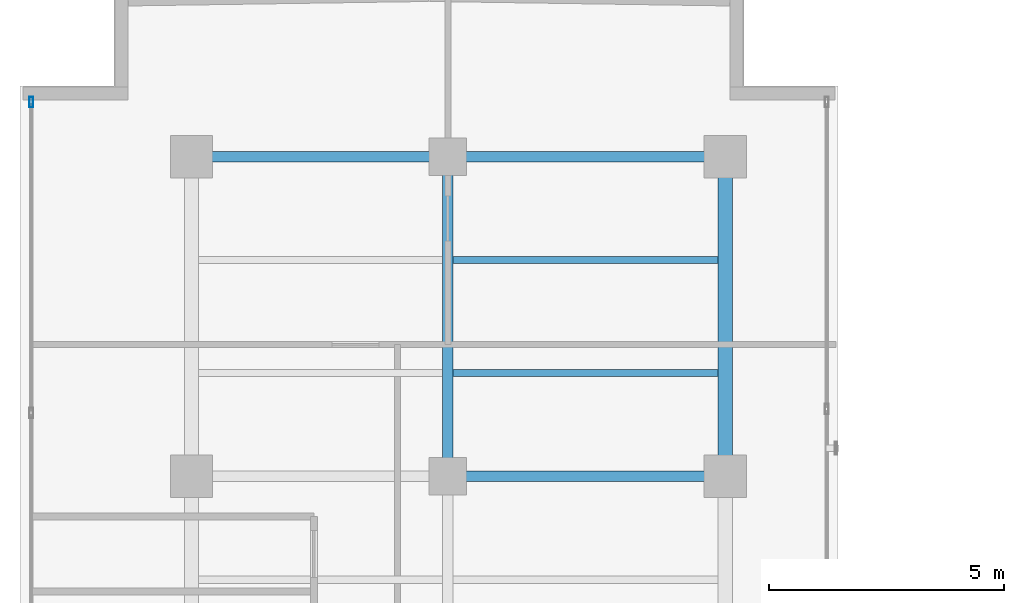
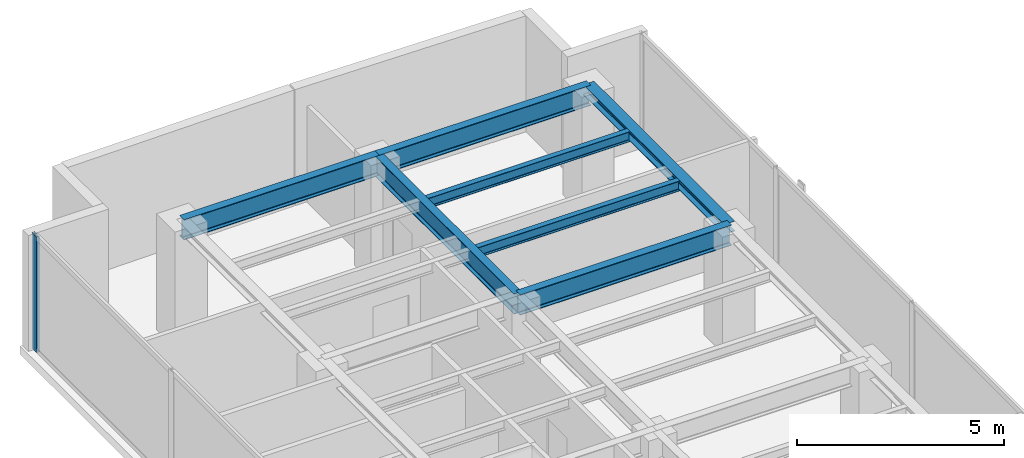
# One storey, part 13 of 23: 7 beams, 1 member, 1 element without a shape of its own.
"""IFC4 building model written with IfcOpenShell, lengths in metres."""

from ifc_helpers import new_model, si_unit, direction, frame, origin, origin_with_axes, origin_2d, place, context, subcontext, project, spatial, hollow_rectangle, i_section, extrude, source, transform, mapped, material, layer, layer_set, material_profile, profile_set, type_object, element, aggregate, save


model = new_model("IFC4")

# Units and contexts
model_context = context("Model", 3, precision=1e-05, world=origin(), true_north=direction((0.0, 1.0)))
body_context = subcontext(model_context, "Body", "Model", "MODEL_VIEW")
ifc_project = project(units=[si_unit("LENGTHUNIT", "METRE"), si_unit("AREAUNIT", "SQUARE_METRE"), si_unit("VOLUMEUNIT", "CUBIC_METRE"), si_unit("PLANEANGLEUNIT", "RADIAN"), si_unit("MASSUNIT", "GRAM", prefix="KILO")], contexts=[model_context])

# Site, building, storey
site_placement = place(None, origin())
site = spatial("IfcSite", under=ifc_project, at=site_placement, CompositionType="ELEMENT")
building_placement = place(site_placement, origin())
building = spatial("IfcBuilding", under=site, at=building_placement, Name="Kolvaren Waterfront Exchange", CompositionType="ELEMENT")
storey_placement = place(building_placement, frame((0.0, 0.0, 335.0)))
storey = spatial("IfcBuildingStorey", under=building, at=storey_placement, Name="L86", CompositionType="ELEMENT", Elevation=335.0)

# Beams
ifc_material_1 = material(Name="Steel S355", Category="steel")
ifc_material_profile_1 = material_profile(ifc_material_1, i_section(OverallWidth=0.300048828125, OverallDepth=0.300048828125, WebThickness=0.010986328125, FlangeThickness=0.01904296875, FilletRadius=0.027099609375, at=origin_2d()), Name="HEB300")
ifc_profile_set_1 = profile_set([ifc_material_profile_1], Name="Steel S355")
beam_type_1 = type_object("IfcBeamType", Name="STR-BM-HEB300", PredefinedType="SPANDREL", material=ifc_profile_set_1)
beam_1_placement = place(storey_placement, frame((18.800048828125, 37.800048828125, 3.27001953125), z_axis=(0.0, 1.0, 0.0), x_axis=(-1.0, 0.0, 0.0)))
element("IfcBeam", 1, at=beam_1_placement, inside=storey, type_object=beam_type_1, Name="L86 north-arm edge beam 3", PredefinedType="SPANDREL", context=body_context, shape_type="SweptSolid", body=[
    extrude(i_section(OverallWidth=0.300048828125, OverallDepth=0.300048828125, WebThickness=0.010986328125, FlangeThickness=0.01904296875, FilletRadius=0.027099609375, at=origin_2d()), origin(), (0.0, 0.0, 1.0), 6.800048828125),
])
ifc_material_profile_2 = material_profile(ifc_material_1, i_section(OverallWidth=0.14990234375, OverallDepth=0.300048828125, WebThickness=0.007080078125, FlangeThickness=0.0107421875, FilletRadius=0.014892578125, at=origin_2d()), Name="IPE300")
ifc_profile_set_2 = profile_set([ifc_material_profile_2], Name="Steel S355")
beam_type_2 = type_object("IfcBeamType", Name="STR-BM-IPE300", PredefinedType="JOIST", material=ifc_profile_set_2)
for number, where, z_axis, x_axis, name in (
    (2, (13.011962890625, 40.0, 3.27001953125), (1.0, 0.0, 0.0), (0.0, 1.0, 0.0), "L86 north-arm composite joist 5B"),
    (3, (13.011962890625, 42.39990234375, 3.27001953125), (1.0, 0.0, 0.0), (0.0, 1.0, 0.0), "L86 north-arm composite joist 6B"),
):
    element("IfcBeam", number, at=place(storey_placement, frame(where, z_axis=z_axis, x_axis=x_axis)), inside=storey, type_object=beam_type_2, Name=name, PredefinedType="JOIST", context=body_context, shape_type="SweptSolid", body=[
        extrude(i_section(OverallWidth=0.14990234375, OverallDepth=0.300048828125, WebThickness=0.007080078125, FlangeThickness=0.0107421875, FilletRadius=0.014892578125, at=origin_2d()), origin(), (0.0, 0.0, 1.0), 5.635986328125),
    ])
ifc_material_profile_3 = material_profile(ifc_material_1, i_section(OverallWidth=0.219970703125, OverallDepth=0.60009765625, WebThickness=0.011962890625, FlangeThickness=0.01904296875, FilletRadius=0.02392578125, at=origin_2d()), Name="IPE600")
ifc_profile_set_3 = profile_set([ifc_material_profile_3], Name="Steel S355")
beam_type_3 = type_object("IfcBeamType", Name="STR-BM-IPE600", PredefinedType="BEAM", material=ifc_profile_set_3)
beam_2_placement = place(storey_placement, frame((12.89990234375, 37.800048828125, 3.1201171875), z_axis=(1.0, 0.0, 0.0), x_axis=(0.0, 1.0, 0.0)))
element("IfcBeam", 4, at=beam_2_placement, inside=storey, type_object=beam_type_3, Name="L86 north-arm girder 3B", PredefinedType="BEAM", context=body_context, shape_type="SweptSolid", body=[
    extrude(i_section(OverallWidth=0.219970703125, OverallDepth=0.60009765625, WebThickness=0.011962890625, FlangeThickness=0.01904296875, FilletRadius=0.02392578125, at=origin_2d()), origin(), (0.0, 0.0, 1.0), 5.900146484375),
])
beam_3_placement = place(storey_placement, frame((7.449951171875, 44.60009765625, 3.1201171875), z_axis=(1.0, 0.0, 0.0), x_axis=(0.0, 1.0, 0.0)))
element("IfcBeam", 5, at=beam_3_placement, inside=storey, type_object=beam_type_3, Name="L86 north-arm girder 4A", PredefinedType="BEAM", context=body_context, shape_type="SweptSolid", body=[
    extrude(i_section(OverallWidth=0.219970703125, OverallDepth=0.60009765625, WebThickness=0.011962890625, FlangeThickness=0.01904296875, FilletRadius=0.02392578125, at=origin_2d()), origin(), (0.0, 0.0, 1.0), 5.449951171875),
])
beam_4_placement = place(storey_placement, frame((12.89990234375, 44.60009765625, 3.1201171875), z_axis=(1.0, 0.0, 0.0), x_axis=(0.0, 1.0, 0.0)))
element("IfcBeam", 6, at=beam_4_placement, inside=storey, type_object=beam_type_3, Name="L86 north-arm girder 4B", PredefinedType="BEAM", context=body_context, shape_type="SweptSolid", body=[
    extrude(i_section(OverallWidth=0.219970703125, OverallDepth=0.60009765625, WebThickness=0.011962890625, FlangeThickness=0.01904296875, FilletRadius=0.02392578125, at=origin_2d()), origin(), (0.0, 0.0, 1.0), 5.900146484375),
])
beam_5_placement = place(storey_placement, frame((12.89990234375, 37.800048828125, 3.1201171875), z_axis=(0.0, 1.0, 0.0), x_axis=(-1.0, 0.0, 0.0)))
element("IfcBeam", 7, at=beam_5_placement, inside=storey, type_object=beam_type_3, Name="L86 north-arm edge beam 3", PredefinedType="BEAM", context=body_context, shape_type="SweptSolid", body=[
    extrude(i_section(OverallWidth=0.219970703125, OverallDepth=0.60009765625, WebThickness=0.011962890625, FlangeThickness=0.01904296875, FilletRadius=0.02392578125, at=origin_2d()), origin(), (0.0, 0.0, 1.0), 6.800048828125),
])

# Curtain wall, member
ifc_material_2 = material(Name="Anodised aluminium 6063-T6", Category="aluminium")
ifc_layer = layer(ifc_material_2, 0.219970703125, Name="Anodised aluminium 6063-T6")
ifc_layer_set = layer_set([ifc_layer], Name="Anodised aluminium 6063-T6")
curtain_wall_type = type_object("IfcCurtainWallType", Name="ARC-CW-SYS2", PredefinedType="USERDEFINED", material=ifc_layer_set)
curtain_wall_placement = place(storey_placement, origin())
curtain_wall = element("IfcCurtainWall", 8, at=curtain_wall_placement, inside=storey, type_object=curtain_wall_type, Name="L86 stick curtain wall CW2 (CW-L86-W)", ObjectType="STICK CURTAIN WALL", PredefinedType="USERDEFINED")
ifc_material_profile_4 = material_profile(ifc_material_2, hollow_rectangle(XDim=0.080078125, YDim=0.219970703125, WallThickness=0.0048828125, at=origin_2d()), Name="ALU-MUL-220x80x5")
ifc_profile_set_4 = profile_set([ifc_material_profile_4], Name="Anodised aluminium 6063-T6")
member_type = type_object("IfcMemberType", Name="ARC-CWM-220", PredefinedType="MULLION", material=ifc_profile_set_4)
shared_shape = source(origin_with_axes(), body_context, "Body", "SweptSolid", [
    extrude(hollow_rectangle(XDim=0.080078125, YDim=0.219970703125, WallThickness=0.0048828125, at=origin_2d()), origin(), (0.0, 0.0, 1.0), 3.419921875),
])
member_placement = place(storey_placement, frame((4.0400390625, 45.760009765625, 0.0), z_axis=(0.0, 0.0, 1.0), x_axis=(-1.0, 0.0, 0.0)))
member = element("IfcMember", 9, at=member_placement, type_object=member_type, Name="CW2 mullion 7", PredefinedType="MULLION", context=body_context, shape_type="MappedRepresentation", body=[
    mapped(shared_shape, transform((0.0, 0.0, 0.0), x_axis=(1.0, 0.0, 0.0), y_axis=(0.0, 1.0, 0.0), z_axis=(0.0, 0.0, 1.0), scale=1.0)),
])
aggregate(curtain_wall, [member])

save(model, "model.ifc")
